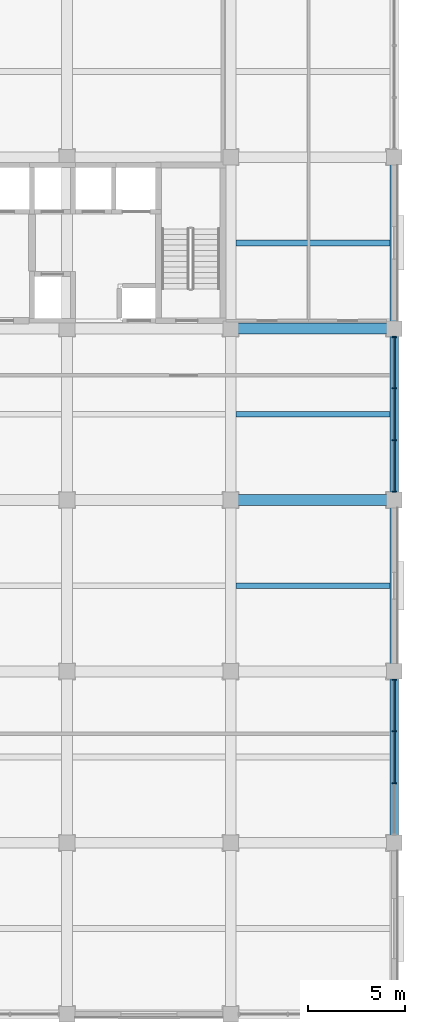
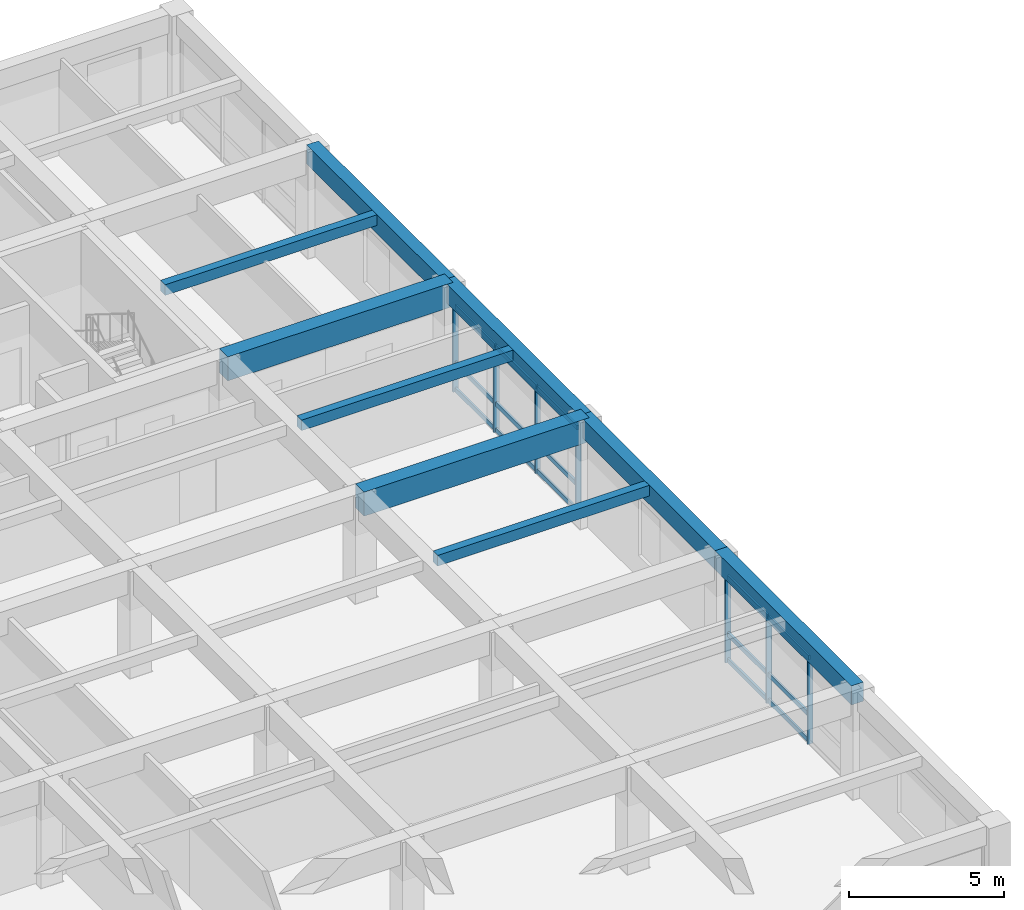
# One storey, part 22 of 46: 22 members, 9 beams, 2 elements without a shape of their own.
"""IFC4 building model written with IfcOpenShell, lengths in metres."""

from ifc_helpers import new_model, si_unit, direction, frame, origin, origin_2d, place, context, subcontext, project, spatial, rectangle, extrude, material, material_profile, profile_set, type_object, element, aggregate, save


model = new_model("IFC4")

# Units and contexts
model_context = context("Model", 3, precision=1e-05, world=origin(), true_north=direction((0.0, 1.0)))
body_context = subcontext(model_context, "Body", "Model", "MODEL_VIEW")
ifc_project = project(units=[si_unit("LENGTHUNIT", "METRE"), si_unit("AREAUNIT", "SQUARE_METRE"), si_unit("VOLUMEUNIT", "CUBIC_METRE"), si_unit("PLANEANGLEUNIT", "RADIAN"), si_unit("MASSUNIT", "GRAM", prefix="KILO")], contexts=[model_context])

# Site, building, storey
site_placement = place(None, origin())
site = spatial("IfcSite", under=ifc_project, at=site_placement, CompositionType="ELEMENT")
building_placement = place(site_placement, origin())
building = spatial("IfcBuilding", under=site, at=building_placement, Name="Kemercrest Conservatory and Botanical Centre", CompositionType="ELEMENT")
storey_placement = place(building_placement, frame((0.0, 0.0, 9.0)))
storey = spatial("IfcBuildingStorey", under=building, at=storey_placement, Name="L02", CompositionType="ELEMENT", Elevation=9.0)

# Beams
ifc_material_1 = material(Name="Concrete C50/60", Category="concrete")
ifc_material_profile_1 = material_profile(ifc_material_1, rectangle(XDim=0.550048828125, YDim=0.949951171875, at=origin_2d()), Name="RC 550x950")
ifc_profile_set_1 = profile_set([ifc_material_profile_1], Name="Concrete C50/60")
beam_type_1 = type_object("IfcBeamType", Name="BM-RC95", PredefinedType="BEAM", material=ifc_profile_set_1)
for number, where, z_axis, x_axis, name in (
    (1, (167.60009765625, 96.0, 3.72509765625), (1.0, 0.0, 0.0), (0.0, 1.0, 0.0), "V4-L03 beam BM-RC95 L/20-21"),
    (2, (167.60009765625, 104.800048828125, 3.72509765625), (1.0, 0.0, 0.0), (0.0, 1.0, 0.0), "V4-L03 beam BM-RC95 M/20-21"),
):
    element("IfcBeam", number, at=place(storey_placement, frame(where, z_axis=z_axis, x_axis=x_axis)), inside=storey, type_object=beam_type_1, Name=name, PredefinedType="BEAM", context=body_context, shape_type="SweptSolid", body=[
        extrude(rectangle(XDim=0.550048828125, YDim=0.949951171875, at=origin_2d()), origin(), (0.0, 0.0, 1.0), 8.39990234375),
    ])

# Curtain wall, members
ifc_material_2 = material(Name="Thermally broken aluminium and triple low-e glazing", Category="aluminium")
curtain_wall_type_1 = type_object("IfcCurtainWallType", Name="CW-29", PredefinedType="USERDEFINED", material=ifc_material_2)
curtain_wall_1_placement = place(storey_placement, origin())
curtain_wall_1 = element("IfcCurtainWall", 3, at=curtain_wall_1_placement, inside=storey, type_object=curtain_wall_type_1, Name="Unitised curtain wall CW-29 (CW:L02:V4-058)", ObjectType="UNITISED CURTAIN WALL", PredefinedType="USERDEFINED")
ifc_material_3 = material(Name="Thermally broken anodized aluminium 6063-T6", Category="aluminium")
ifc_material_profile_2 = material_profile(ifc_material_3, rectangle(XDim=0.199951171875, YDim=0.06494140625, at=origin_2d()), Name="AL MULLION 65x200")
ifc_profile_set_2 = profile_set([ifc_material_profile_2], Name="Thermally broken anodized aluminium 6063-T6")
member_type_1 = type_object("IfcMemberType", Name="CW-M200", PredefinedType="MULLION", material=ifc_profile_set_2)
member_1_placement = place(storey_placement, frame((176.0, 81.465087890625, 0.0), z_axis=(0.0, 0.0, 1.0), x_axis=(-1.0, 0.0, 0.0)))
member_1 = element("IfcMember", 4, at=member_1_placement, type_object=member_type_1, Name="CW-29 mullion 2", PredefinedType="MULLION", context=body_context, shape_type="SweptSolid", body=[
    extrude(rectangle(XDim=0.199951171875, YDim=0.06494140625, at=origin_2d()), origin(), (0.0, 0.0, 1.0), 3.455078125),
])
member_2_placement = place(storey_placement, frame((176.0, 84.135009765625, 0.0), z_axis=(0.0, 0.0, 1.0), x_axis=(-1.0, 0.0, 0.0)))
member_2 = element("IfcMember", 5, at=member_2_placement, type_object=member_type_1, Name="CW-29 mullion 3", PredefinedType="MULLION", context=body_context, shape_type="SweptSolid", body=[
    extrude(rectangle(XDim=0.199951171875, YDim=0.06494140625, at=origin_2d()), origin(), (0.0, 0.0, 1.0), 3.455078125),
])
member_3_placement = place(storey_placement, frame((176.0, 86.7724609375, 0.0), z_axis=(0.0, 0.0, 1.0), x_axis=(-1.0, 0.0, 0.0)))
member_3 = element("IfcMember", 6, at=member_3_placement, type_object=member_type_1, Name="CW-29 mullion 4", PredefinedType="MULLION", context=body_context, shape_type="SweptSolid", body=[
    extrude(rectangle(XDim=0.199951171875, YDim=0.06494140625, at=origin_2d()), origin(), (0.0, 0.0, 1.0), 3.455078125),
])

curtain_wall_type_2 = type_object("IfcCurtainWallType", Name="CW-30", PredefinedType="USERDEFINED", material=ifc_material_2)
curtain_wall_2_placement = place(storey_placement, origin())
curtain_wall_2 = element("IfcCurtainWall", 7, at=curtain_wall_2_placement, inside=storey, type_object=curtain_wall_type_2, Name="Unitised curtain wall CW-30 (CW:L02:V4-059)", ObjectType="UNITISED CURTAIN WALL", PredefinedType="USERDEFINED")
member_4_placement = place(storey_placement, frame((176.0, 96.427490234375, 0.0), z_axis=(0.0, 0.0, 1.0), x_axis=(-1.0, 0.0, 0.0)))
member_4 = element("IfcMember", 8, at=member_4_placement, type_object=member_type_1, Name="CW-30 mullion 1", PredefinedType="MULLION", context=body_context, shape_type="SweptSolid", body=[
    extrude(rectangle(XDim=0.199951171875, YDim=0.06494140625, at=origin_2d()), origin(), (0.0, 0.0, 1.0), 3.455078125),
])
member_5_placement = place(storey_placement, frame((176.0, 99.06494140625, 0.0), z_axis=(0.0, 0.0, 1.0), x_axis=(-1.0, 0.0, 0.0)))
member_5 = element("IfcMember", 9, at=member_5_placement, type_object=member_type_1, Name="CW-30 mullion 2", PredefinedType="MULLION", context=body_context, shape_type="SweptSolid", body=[
    extrude(rectangle(XDim=0.199951171875, YDim=0.06494140625, at=origin_2d()), origin(), (0.0, 0.0, 1.0), 3.455078125),
])
member_6_placement = place(storey_placement, frame((176.0, 101.735107421875, 0.0), z_axis=(0.0, 0.0, 1.0), x_axis=(-1.0, 0.0, 0.0)))
member_6 = element("IfcMember", 10, at=member_6_placement, type_object=member_type_1, Name="CW-30 mullion 3", PredefinedType="MULLION", context=body_context, shape_type="SweptSolid", body=[
    extrude(rectangle(XDim=0.199951171875, YDim=0.06494140625, at=origin_2d()), origin(), (0.0, 0.0, 1.0), 3.455078125),
])
member_7_placement = place(storey_placement, frame((176.0, 104.37255859375, 0.0), z_axis=(0.0, 0.0, 1.0), x_axis=(-1.0, 0.0, 0.0)))
member_7 = element("IfcMember", 11, at=member_7_placement, type_object=member_type_1, Name="CW-30 mullion 4", PredefinedType="MULLION", context=body_context, shape_type="SweptSolid", body=[
    extrude(rectangle(XDim=0.199951171875, YDim=0.06494140625, at=origin_2d()), origin(), (0.0, 0.0, 1.0), 3.455078125),
])

# Member
ifc_material_profile_3 = material_profile(ifc_material_3, rectangle(XDim=0.074951171875, YDim=0.179931640625, at=origin_2d()), Name="AL TRANSOM 75x180")
ifc_profile_set_3 = profile_set([ifc_material_profile_3], Name="Thermally broken anodized aluminium 6063-T6")
member_type_2 = type_object("IfcMemberType", Name="CW-T180", PredefinedType="USERDEFINED", material=ifc_profile_set_3)
member_8_placement = place(storey_placement, frame((176.0, 81.49755859375, 0.090087890625), z_axis=(0.0, 1.0, 0.0), x_axis=(-1.0, 0.0, 0.0)))
member_8 = element("IfcMember", 12, at=member_8_placement, type_object=member_type_2, Name="CW-29 transom 2.1", ObjectType="TRANSOM", PredefinedType="USERDEFINED", context=body_context, shape_type="SweptSolid", body=[
    extrude(rectangle(XDim=0.074951171875, YDim=0.179931640625, at=origin_2d()), origin(), (0.0, 0.0, 1.0), 2.60498046875),
])

member_9_placement = place(storey_placement, frame((176.0, 81.49755859375, 1.1201171875), z_axis=(0.0, 1.0, 0.0), x_axis=(-1.0, 0.0, 0.0)))
member_9 = element("IfcMember", 13, at=member_9_placement, type_object=member_type_2, Name="CW-29 transom 2.2", ObjectType="TRANSOM", PredefinedType="USERDEFINED", context=body_context, shape_type="SweptSolid", body=[
    extrude(rectangle(XDim=0.074951171875, YDim=0.179931640625, at=origin_2d()), origin(), (0.0, 0.0, 1.0), 2.60498046875),
])

member_10_placement = place(storey_placement, frame((176.0, 81.49755859375, 3.364990234375), z_axis=(0.0, 1.0, 0.0), x_axis=(-1.0, 0.0, 0.0)))
member_10 = element("IfcMember", 14, at=member_10_placement, type_object=member_type_2, Name="CW-29 transom 2.3", ObjectType="TRANSOM", PredefinedType="USERDEFINED", context=body_context, shape_type="SweptSolid", body=[
    extrude(rectangle(XDim=0.074951171875, YDim=0.179931640625, at=origin_2d()), origin(), (0.0, 0.0, 1.0), 2.60498046875),
])

member_11_placement = place(storey_placement, frame((176.0, 84.16748046875, 0.090087890625), z_axis=(0.0, 1.0, 0.0), x_axis=(-1.0, 0.0, 0.0)))
member_11 = element("IfcMember", 15, at=member_11_placement, type_object=member_type_2, Name="CW-29 transom 3.1", ObjectType="TRANSOM", PredefinedType="USERDEFINED", context=body_context, shape_type="SweptSolid", body=[
    extrude(rectangle(XDim=0.074951171875, YDim=0.179931640625, at=origin_2d()), origin(), (0.0, 0.0, 1.0), 2.572509765625),
])

member_12_placement = place(storey_placement, frame((176.0, 84.16748046875, 1.1201171875), z_axis=(0.0, 1.0, 0.0), x_axis=(-1.0, 0.0, 0.0)))
member_12 = element("IfcMember", 16, at=member_12_placement, type_object=member_type_2, Name="CW-29 transom 3.2", ObjectType="TRANSOM", PredefinedType="USERDEFINED", context=body_context, shape_type="SweptSolid", body=[
    extrude(rectangle(XDim=0.074951171875, YDim=0.179931640625, at=origin_2d()), origin(), (0.0, 0.0, 1.0), 2.572509765625),
])

member_13_placement = place(storey_placement, frame((176.0, 84.16748046875, 3.364990234375), z_axis=(0.0, 1.0, 0.0), x_axis=(-1.0, 0.0, 0.0)))
member_13 = element("IfcMember", 17, at=member_13_placement, type_object=member_type_2, Name="CW-29 transom 3.3", ObjectType="TRANSOM", PredefinedType="USERDEFINED", context=body_context, shape_type="SweptSolid", body=[
    extrude(rectangle(XDim=0.074951171875, YDim=0.179931640625, at=origin_2d()), origin(), (0.0, 0.0, 1.0), 2.572509765625),
])

aggregate(curtain_wall_1, [member_1, member_2, member_3, member_8, member_9, member_10, member_11, member_12, member_13])

member_14_placement = place(storey_placement, frame((176.0, 96.4599609375, 0.090087890625), z_axis=(0.0, 1.0, 0.0), x_axis=(-1.0, 0.0, 0.0)))
member_14 = element("IfcMember", 18, at=member_14_placement, type_object=member_type_2, Name="CW-30 transom 1.1", ObjectType="TRANSOM", PredefinedType="USERDEFINED", context=body_context, shape_type="SweptSolid", body=[
    extrude(rectangle(XDim=0.074951171875, YDim=0.179931640625, at=origin_2d()), origin(), (0.0, 0.0, 1.0), 2.572509765625),
])

member_15_placement = place(storey_placement, frame((176.0, 96.4599609375, 1.1201171875), z_axis=(0.0, 1.0, 0.0), x_axis=(-1.0, 0.0, 0.0)))
member_15 = element("IfcMember", 19, at=member_15_placement, type_object=member_type_2, Name="CW-30 transom 1.2", ObjectType="TRANSOM", PredefinedType="USERDEFINED", context=body_context, shape_type="SweptSolid", body=[
    extrude(rectangle(XDim=0.074951171875, YDim=0.179931640625, at=origin_2d()), origin(), (0.0, 0.0, 1.0), 2.572509765625),
])

member_16_placement = place(storey_placement, frame((176.0, 96.4599609375, 3.364990234375), z_axis=(0.0, 1.0, 0.0), x_axis=(-1.0, 0.0, 0.0)))
member_16 = element("IfcMember", 20, at=member_16_placement, type_object=member_type_2, Name="CW-30 transom 1.3", ObjectType="TRANSOM", PredefinedType="USERDEFINED", context=body_context, shape_type="SweptSolid", body=[
    extrude(rectangle(XDim=0.074951171875, YDim=0.179931640625, at=origin_2d()), origin(), (0.0, 0.0, 1.0), 2.572509765625),
])

member_17_placement = place(storey_placement, frame((176.0, 99.097412109375, 0.090087890625), z_axis=(0.0, 1.0, 0.0), x_axis=(-1.0, 0.0, 0.0)))
member_17 = element("IfcMember", 21, at=member_17_placement, type_object=member_type_2, Name="CW-30 transom 2.1", ObjectType="TRANSOM", PredefinedType="USERDEFINED", context=body_context, shape_type="SweptSolid", body=[
    extrude(rectangle(XDim=0.074951171875, YDim=0.179931640625, at=origin_2d()), origin(), (0.0, 0.0, 1.0), 2.60498046875),
])

member_18_placement = place(storey_placement, frame((176.0, 99.097412109375, 1.1201171875), z_axis=(0.0, 1.0, 0.0), x_axis=(-1.0, 0.0, 0.0)))
member_18 = element("IfcMember", 22, at=member_18_placement, type_object=member_type_2, Name="CW-30 transom 2.2", ObjectType="TRANSOM", PredefinedType="USERDEFINED", context=body_context, shape_type="SweptSolid", body=[
    extrude(rectangle(XDim=0.074951171875, YDim=0.179931640625, at=origin_2d()), origin(), (0.0, 0.0, 1.0), 2.60498046875),
])

member_19_placement = place(storey_placement, frame((176.0, 99.097412109375, 3.364990234375), z_axis=(0.0, 1.0, 0.0), x_axis=(-1.0, 0.0, 0.0)))
member_19 = element("IfcMember", 23, at=member_19_placement, type_object=member_type_2, Name="CW-30 transom 2.3", ObjectType="TRANSOM", PredefinedType="USERDEFINED", context=body_context, shape_type="SweptSolid", body=[
    extrude(rectangle(XDim=0.074951171875, YDim=0.179931640625, at=origin_2d()), origin(), (0.0, 0.0, 1.0), 2.60498046875),
])

member_20_placement = place(storey_placement, frame((176.0, 101.767578125, 0.090087890625), z_axis=(0.0, 1.0, 0.0), x_axis=(-1.0, 0.0, 0.0)))
member_20 = element("IfcMember", 24, at=member_20_placement, type_object=member_type_2, Name="CW-30 transom 3.1", ObjectType="TRANSOM", PredefinedType="USERDEFINED", context=body_context, shape_type="SweptSolid", body=[
    extrude(rectangle(XDim=0.074951171875, YDim=0.179931640625, at=origin_2d()), origin(), (0.0, 0.0, 1.0), 2.572509765625),
])

member_21_placement = place(storey_placement, frame((176.0, 101.767578125, 1.1201171875), z_axis=(0.0, 1.0, 0.0), x_axis=(-1.0, 0.0, 0.0)))
member_21 = element("IfcMember", 25, at=member_21_placement, type_object=member_type_2, Name="CW-30 transom 3.2", ObjectType="TRANSOM", PredefinedType="USERDEFINED", context=body_context, shape_type="SweptSolid", body=[
    extrude(rectangle(XDim=0.074951171875, YDim=0.179931640625, at=origin_2d()), origin(), (0.0, 0.0, 1.0), 2.572509765625),
])

member_22_placement = place(storey_placement, frame((176.0, 101.767578125, 3.364990234375), z_axis=(0.0, 1.0, 0.0), x_axis=(-1.0, 0.0, 0.0)))
member_22 = element("IfcMember", 26, at=member_22_placement, type_object=member_type_2, Name="CW-30 transom 3.3", ObjectType="TRANSOM", PredefinedType="USERDEFINED", context=body_context, shape_type="SweptSolid", body=[
    extrude(rectangle(XDim=0.074951171875, YDim=0.179931640625, at=origin_2d()), origin(), (0.0, 0.0, 1.0), 2.572509765625),
])

aggregate(curtain_wall_2, [member_4, member_5, member_6, member_7, member_14, member_15, member_16, member_17, member_18, member_19, member_20, member_21, member_22])

# Beams
ifc_material_4 = material(Name="Concrete C40/50", Category="concrete")
ifc_material_profile_4 = material_profile(ifc_material_4, rectangle(XDim=0.300048828125, YDim=0.419921875, at=origin_2d()), Name="RC 300x420")
ifc_profile_set_4 = profile_set([ifc_material_profile_4], Name="Concrete C40/50")
beam_type_2 = type_object("IfcBeamType", Name="JS-RC42", PredefinedType="JOIST", material=ifc_profile_set_4)
for number, where, z_axis, x_axis, name in (
    (27, (167.875, 91.60009765625, 3.989990234375), (1.0, 0.0, 0.0), (0.0, 1.0, 0.0), "V4-L03 secondary joist JS-RC42"),
    (28, (167.875, 100.39990234375, 3.989990234375), (1.0, 0.0, 0.0), (0.0, 1.0, 0.0), "V4-L03 secondary joist JS-RC42"),
    (29, (167.875, 109.199951171875, 3.989990234375), (1.0, 0.0, 0.0), (0.0, 1.0, 0.0), "V4-L03 secondary joist JS-RC42"),
):
    element("IfcBeam", number, at=place(storey_placement, frame(where, z_axis=z_axis, x_axis=x_axis)), inside=storey, type_object=beam_type_2, Name=name, PredefinedType="JOIST", context=body_context, shape_type="SweptSolid", body=[
        extrude(rectangle(XDim=0.300048828125, YDim=0.419921875, at=origin_2d()), origin(), (0.0, 0.0, 1.0), 7.89990234375),
    ])
ifc_material_profile_5 = material_profile(ifc_material_4, rectangle(XDim=0.449951171875, YDim=0.75, at=origin_2d()), Name="RC 450x750")
ifc_profile_set_5 = profile_set([ifc_material_profile_5], Name="Concrete C40/50")
beam_type_3 = type_object("IfcBeamType", Name="SP-RC75", PredefinedType="SPANDREL", material=ifc_profile_set_5)
for number, where, z_axis, x_axis, name in (
    (30, (176.0, 78.39990234375, 3.824951171875), (0.0, 1.0, 0.0), (-1.0, 0.0, 0.0), "V4-L03 beam SP-RC75 21/J-K"),
    (31, (176.0, 87.199951171875, 3.824951171875), (0.0, 1.0, 0.0), (-1.0, 0.0, 0.0), "V4-L03 beam SP-RC75 21/K-L"),
    (32, (176.0, 96.0, 3.824951171875), (0.0, 1.0, 0.0), (-1.0, 0.0, 0.0), "V4-L03 beam SP-RC75 21/L-M"),
    (33, (176.0, 104.800048828125, 3.824951171875), (0.0, 1.0, 0.0), (-1.0, 0.0, 0.0), "V4-L03 beam SP-RC75 21/M-N"),
):
    element("IfcBeam", number, at=place(storey_placement, frame(where, z_axis=z_axis, x_axis=x_axis)), inside=storey, type_object=beam_type_3, Name=name, PredefinedType="SPANDREL", context=body_context, shape_type="SweptSolid", body=[
        extrude(rectangle(XDim=0.449951171875, YDim=0.75, at=origin_2d()), origin(), (0.0, 0.0, 1.0), 8.800048828125),
    ])

save(model, "model.ifc")
